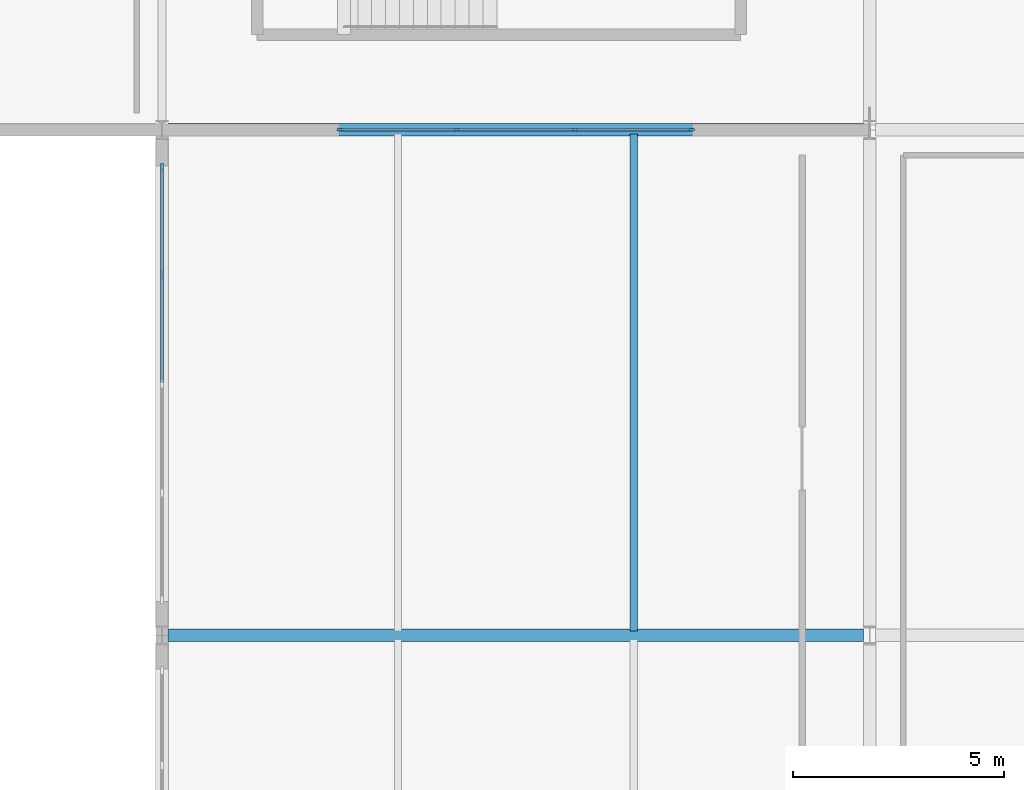
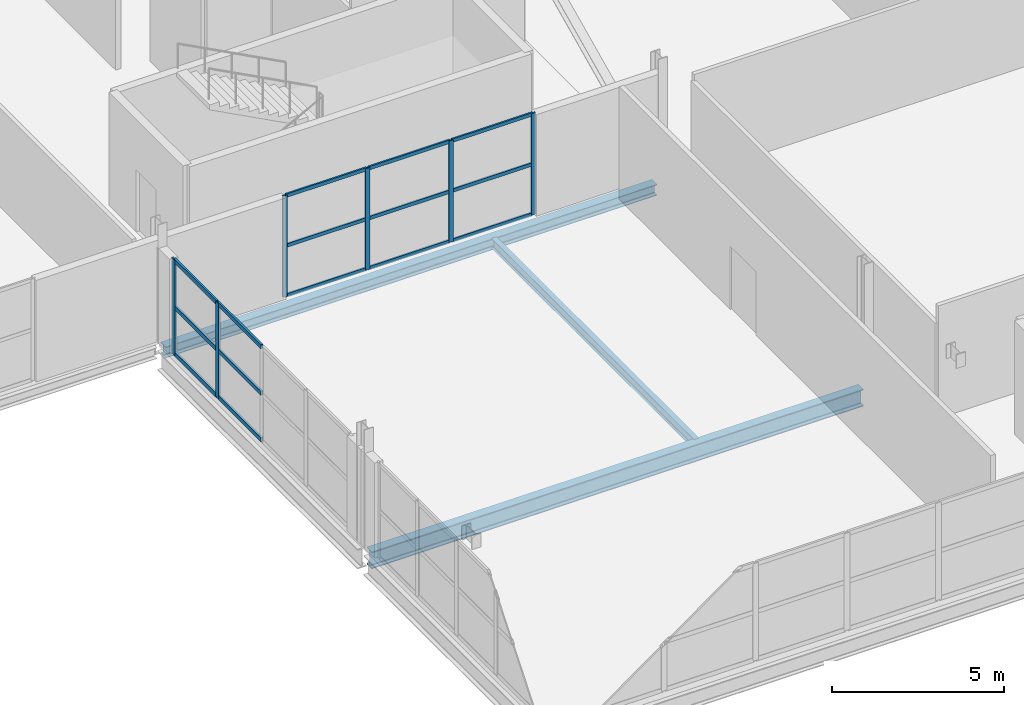
# One storey, part 11 of 39: 21 members, 3 beams, 2 elements without a shape of their own.
"""IFC4 building model written with IfcOpenShell, lengths in metres."""

from ifc_helpers import new_model, si_unit, direction, frame, origin, origin_2d, place, context, subcontext, project, spatial, rectangle, i_section, extrude, material, material_profile, profile_set, type_object, element, aggregate, save


model = new_model("IFC4")

# Units and contexts
model_context = context("Model", 3, precision=1e-05, world=origin(), true_north=direction((0.0, 1.0)))
body_context = subcontext(model_context, "Body", "Model", "MODEL_VIEW")
ifc_project = project(units=[si_unit("LENGTHUNIT", "METRE"), si_unit("AREAUNIT", "SQUARE_METRE"), si_unit("VOLUMEUNIT", "CUBIC_METRE"), si_unit("PLANEANGLEUNIT", "RADIAN"), si_unit("MASSUNIT", "GRAM", prefix="KILO")], contexts=[model_context])

# Site, building, storey
site_placement = place(None, origin())
site = spatial("IfcSite", under=ifc_project, at=site_placement, CompositionType="ELEMENT")
building_placement = place(site_placement, origin())
building = spatial("IfcBuilding", under=site, at=building_placement, Name="Kimbaza Rail Terminus", CompositionType="ELEMENT")
storey_placement = place(building_placement, frame((0.0, 0.0, 16.800048828125)))
storey = spatial("IfcBuildingStorey", under=building, at=storey_placement, Name="L03", CompositionType="ELEMENT", Elevation=16.800048828125)

# Curtain wall, members
ifc_material_1 = material(Name="Anodised aluminium framing and solar low-E glazing", Category="aluminium")
curtain_wall_type_1 = type_object("IfcCurtainWallType", Name="ARC-CW-BRG", PredefinedType="USERDEFINED", material=ifc_material_1)
curtain_wall_1_placement = place(storey_placement, origin())
curtain_wall_1 = element("IfcCurtainWall", 1, at=curtain_wall_1_placement, inside=storey, type_object=curtain_wall_type_1, Name="Over-Track Footbridge W Panoramic Curtain Wall 2", ObjectType="UNITISED CURTAIN WALL", PredefinedType="USERDEFINED")
ifc_material_2 = material(Name="Anodised architectural aluminium", Category="aluminium")
ifc_material_profile_1 = material_profile(ifc_material_2, rectangle(XDim=0.068115234375, YDim=0.18994140625, at=origin_2d()), Name="MULLION 68x190")
ifc_profile_set_1 = profile_set([ifc_material_profile_1], Name="Anodised architectural aluminium")
member_type_1 = type_object("IfcMemberType", Name="ARC-CWM-03", PredefinedType="MULLION", material=ifc_profile_set_1)
member_1_placement = place(storey_placement, frame((72.0, 99.554931640625, 0.0), z_axis=(0.0, 0.0, 1.0), x_axis=(-1.0, 0.0, 0.0)))
member_1 = element("IfcMember", 2, at=member_1_placement, type_object=member_type_1, Name="CW-03 mullion 4", PredefinedType="MULLION", context=body_context, shape_type="SweptSolid", body=[
    extrude(rectangle(XDim=0.068115234375, YDim=0.18994140625, at=origin_2d()), origin(), (0.0, 0.0, 1.0), 3.369873046875),
])
member_2_placement = place(storey_placement, frame((72.0, 102.10595703125, 0.0), z_axis=(0.0, 0.0, 1.0), x_axis=(-1.0, 0.0, 0.0)))
member_2 = element("IfcMember", 3, at=member_2_placement, type_object=member_type_1, Name="CW-03 mullion 5", PredefinedType="MULLION", context=body_context, shape_type="SweptSolid", body=[
    extrude(rectangle(XDim=0.068115234375, YDim=0.18994140625, at=origin_2d()), origin(), (0.0, 0.0, 1.0), 3.369873046875),
])

ifc_material_3 = material(Name="Anodised aluminium framing and solar low-E glazing", Category="aluminium")
curtain_wall_type_2 = type_object("IfcCurtainWallType", Name="ARC-CW-OP2", PredefinedType="USERDEFINED", material=ifc_material_3)
curtain_wall_2_placement = place(storey_placement, origin())
curtain_wall_2 = element("IfcCurtainWall", 4, at=curtain_wall_2_placement, inside=storey, type_object=curtain_wall_type_2, Name="Operations South Curtain Wall L03 Bay 2", ObjectType="STICK CURTAIN WALL", PredefinedType="USERDEFINED")
ifc_material_4 = material(Name="Anodised architectural aluminium", Category="aluminium")
ifc_material_profile_2 = material_profile(ifc_material_4, rectangle(XDim=0.05810546875, YDim=0.14990234375, at=origin_2d()), Name="MULLION 58x150")
ifc_profile_set_2 = profile_set([ifc_material_profile_2], Name="Anodised architectural aluminium")
member_type_2 = type_object("IfcMemberType", Name="ARC-CWM-06", PredefinedType="MULLION", material=ifc_profile_set_2)
member_3_placement = place(storey_placement, frame((76.22900390625, 103.0, 0.0), z_axis=(0.0, 0.0, 1.0), x_axis=(0.0, 1.0, 0.0)))
member_3 = element("IfcMember", 5, at=member_3_placement, type_object=member_type_2, Name="CW-06 mullion 1", PredefinedType="MULLION", context=body_context, shape_type="SweptSolid", body=[
    extrude(rectangle(XDim=0.05810546875, YDim=0.14990234375, at=origin_2d()), origin(), (0.0, 0.0, 1.0), 3.60498046875),
])
member_4_placement = place(storey_placement, frame((79.0, 103.0, 0.0), z_axis=(0.0, 0.0, 1.0), x_axis=(0.0, 1.0, 0.0)))
member_4 = element("IfcMember", 6, at=member_4_placement, type_object=member_type_2, Name="CW-06 mullion 2", PredefinedType="MULLION", context=body_context, shape_type="SweptSolid", body=[
    extrude(rectangle(XDim=0.05810546875, YDim=0.14990234375, at=origin_2d()), origin(), (0.0, 0.0, 1.0), 3.60498046875),
])
member_5_placement = place(storey_placement, frame((81.800048828125, 103.0, 0.0), z_axis=(0.0, 0.0, 1.0), x_axis=(0.0, 1.0, 0.0)))
member_5 = element("IfcMember", 7, at=member_5_placement, type_object=member_type_2, Name="CW-06 mullion 3", PredefinedType="MULLION", context=body_context, shape_type="SweptSolid", body=[
    extrude(rectangle(XDim=0.05810546875, YDim=0.14990234375, at=origin_2d()), origin(), (0.0, 0.0, 1.0), 3.60498046875),
])
member_6_placement = place(storey_placement, frame((84.571044921875, 103.0, 0.0), z_axis=(0.0, 0.0, 1.0), x_axis=(0.0, 1.0, 0.0)))
member_6 = element("IfcMember", 8, at=member_6_placement, type_object=member_type_2, Name="CW-06 mullion 4", PredefinedType="MULLION", context=body_context, shape_type="SweptSolid", body=[
    extrude(rectangle(XDim=0.05810546875, YDim=0.14990234375, at=origin_2d()), origin(), (0.0, 0.0, 1.0), 3.60498046875),
])

# Member
ifc_material_5 = material(Name="Anodised architectural aluminium", Category="aluminium")
ifc_material_profile_3 = material_profile(ifc_material_5, rectangle(XDim=0.068115234375, YDim=0.14990234375, at=origin_2d()), Name="TRANSOM 68x150")
ifc_profile_set_3 = profile_set([ifc_material_profile_3], Name="Anodised architectural aluminium")
member_type_3 = type_object("IfcMemberType", Name="ARC-CWT-03", PredefinedType="USERDEFINED", material=ifc_profile_set_3)
member_7_placement = place(storey_placement, frame((72.0, 97.00390625, 0.033935546875), z_axis=(0.0, 1.0, 0.0), x_axis=(-1.0, 0.0, 0.0)))
member_7 = element("IfcMember", 9, at=member_7_placement, type_object=member_type_3, Name="CW-03 transom 3.1", ObjectType="TRANSOM", PredefinedType="USERDEFINED", context=body_context, shape_type="SweptSolid", body=[
    extrude(rectangle(XDim=0.068115234375, YDim=0.14990234375, at=origin_2d()), origin(), (0.0, 0.0, 1.0), 2.51708984375),
])

member_8_placement = place(storey_placement, frame((72.0, 97.00390625, 1.68505859375), z_axis=(0.0, 1.0, 0.0), x_axis=(-1.0, 0.0, 0.0)))
member_8 = element("IfcMember", 10, at=member_8_placement, type_object=member_type_3, Name="CW-03 transom 3.2", ObjectType="TRANSOM", PredefinedType="USERDEFINED", context=body_context, shape_type="SweptSolid", body=[
    extrude(rectangle(XDim=0.068115234375, YDim=0.14990234375, at=origin_2d()), origin(), (0.0, 0.0, 1.0), 2.51708984375),
])

member_9_placement = place(storey_placement, frame((72.0, 97.00390625, 3.3359375), z_axis=(0.0, 1.0, 0.0), x_axis=(-1.0, 0.0, 0.0)))
member_9 = element("IfcMember", 11, at=member_9_placement, type_object=member_type_3, Name="CW-03 transom 3.3", ObjectType="TRANSOM", PredefinedType="USERDEFINED", context=body_context, shape_type="SweptSolid", body=[
    extrude(rectangle(XDim=0.068115234375, YDim=0.14990234375, at=origin_2d()), origin(), (0.0, 0.0, 1.0), 2.51708984375),
])

member_10_placement = place(storey_placement, frame((72.0, 99.589111328125, 0.033935546875), z_axis=(0.0, 1.0, 0.0), x_axis=(-1.0, 0.0, 0.0)))
member_10 = element("IfcMember", 12, at=member_10_placement, type_object=member_type_3, Name="CW-03 transom 4.1", ObjectType="TRANSOM", PredefinedType="USERDEFINED", context=body_context, shape_type="SweptSolid", body=[
    extrude(rectangle(XDim=0.068115234375, YDim=0.14990234375, at=origin_2d()), origin(), (0.0, 0.0, 1.0), 2.48291015625),
])

member_11_placement = place(storey_placement, frame((72.0, 99.589111328125, 1.68505859375), z_axis=(0.0, 1.0, 0.0), x_axis=(-1.0, 0.0, 0.0)))
member_11 = element("IfcMember", 13, at=member_11_placement, type_object=member_type_3, Name="CW-03 transom 4.2", ObjectType="TRANSOM", PredefinedType="USERDEFINED", context=body_context, shape_type="SweptSolid", body=[
    extrude(rectangle(XDim=0.068115234375, YDim=0.14990234375, at=origin_2d()), origin(), (0.0, 0.0, 1.0), 2.48291015625),
])

member_12_placement = place(storey_placement, frame((72.0, 99.589111328125, 3.3359375), z_axis=(0.0, 1.0, 0.0), x_axis=(-1.0, 0.0, 0.0)))
member_12 = element("IfcMember", 14, at=member_12_placement, type_object=member_type_3, Name="CW-03 transom 4.3", ObjectType="TRANSOM", PredefinedType="USERDEFINED", context=body_context, shape_type="SweptSolid", body=[
    extrude(rectangle(XDim=0.068115234375, YDim=0.14990234375, at=origin_2d()), origin(), (0.0, 0.0, 1.0), 2.48291015625),
])

aggregate(curtain_wall_1, [member_1, member_2, member_7, member_8, member_9, member_10, member_11, member_12])

ifc_material_6 = material(Name="Anodised architectural aluminium", Category="aluminium")
ifc_material_profile_4 = material_profile(ifc_material_6, rectangle(XDim=0.05810546875, YDim=0.125, at=origin_2d()), Name="TRANSOM 58x125")
ifc_profile_set_4 = profile_set([ifc_material_profile_4], Name="Anodised architectural aluminium")
member_type_4 = type_object("IfcMemberType", Name="ARC-CWT-06", PredefinedType="USERDEFINED", material=ifc_profile_set_4)
member_13_placement = place(storey_placement, frame((76.258056640625, 103.0, 0.029052734375), z_axis=(1.0, 0.0, 0.0), x_axis=(0.0, 1.0, 0.0)))
member_13 = element("IfcMember", 15, at=member_13_placement, type_object=member_type_4, Name="CW-06 transom 1.1", ObjectType="TRANSOM", PredefinedType="USERDEFINED", context=body_context, shape_type="SweptSolid", body=[
    extrude(rectangle(XDim=0.05810546875, YDim=0.125, at=origin_2d()), origin(), (0.0, 0.0, 1.0), 2.712890625),
])

member_14_placement = place(storey_placement, frame((76.258056640625, 103.0, 1.802490234375), z_axis=(1.0, 0.0, 0.0), x_axis=(0.0, 1.0, 0.0)))
member_14 = element("IfcMember", 16, at=member_14_placement, type_object=member_type_4, Name="CW-06 transom 1.2", ObjectType="TRANSOM", PredefinedType="USERDEFINED", context=body_context, shape_type="SweptSolid", body=[
    extrude(rectangle(XDim=0.05810546875, YDim=0.125, at=origin_2d()), origin(), (0.0, 0.0, 1.0), 2.712890625),
])

member_15_placement = place(storey_placement, frame((76.258056640625, 103.0, 3.575927734375), z_axis=(1.0, 0.0, 0.0), x_axis=(0.0, 1.0, 0.0)))
member_15 = element("IfcMember", 17, at=member_15_placement, type_object=member_type_4, Name="CW-06 transom 1.3", ObjectType="TRANSOM", PredefinedType="USERDEFINED", context=body_context, shape_type="SweptSolid", body=[
    extrude(rectangle(XDim=0.05810546875, YDim=0.125, at=origin_2d()), origin(), (0.0, 0.0, 1.0), 2.712890625),
])

member_16_placement = place(storey_placement, frame((79.029052734375, 103.0, 0.029052734375), z_axis=(1.0, 0.0, 0.0), x_axis=(0.0, 1.0, 0.0)))
member_16 = element("IfcMember", 18, at=member_16_placement, type_object=member_type_4, Name="CW-06 transom 2.1", ObjectType="TRANSOM", PredefinedType="USERDEFINED", context=body_context, shape_type="SweptSolid", body=[
    extrude(rectangle(XDim=0.05810546875, YDim=0.125, at=origin_2d()), origin(), (0.0, 0.0, 1.0), 2.741943359375),
])

member_17_placement = place(storey_placement, frame((79.029052734375, 103.0, 1.802490234375), z_axis=(1.0, 0.0, 0.0), x_axis=(0.0, 1.0, 0.0)))
member_17 = element("IfcMember", 19, at=member_17_placement, type_object=member_type_4, Name="CW-06 transom 2.2", ObjectType="TRANSOM", PredefinedType="USERDEFINED", context=body_context, shape_type="SweptSolid", body=[
    extrude(rectangle(XDim=0.05810546875, YDim=0.125, at=origin_2d()), origin(), (0.0, 0.0, 1.0), 2.741943359375),
])

member_18_placement = place(storey_placement, frame((79.029052734375, 103.0, 3.575927734375), z_axis=(1.0, 0.0, 0.0), x_axis=(0.0, 1.0, 0.0)))
member_18 = element("IfcMember", 20, at=member_18_placement, type_object=member_type_4, Name="CW-06 transom 2.3", ObjectType="TRANSOM", PredefinedType="USERDEFINED", context=body_context, shape_type="SweptSolid", body=[
    extrude(rectangle(XDim=0.05810546875, YDim=0.125, at=origin_2d()), origin(), (0.0, 0.0, 1.0), 2.741943359375),
])

member_19_placement = place(storey_placement, frame((81.8291015625, 103.0, 0.029052734375), z_axis=(1.0, 0.0, 0.0), x_axis=(0.0, 1.0, 0.0)))
member_19 = element("IfcMember", 21, at=member_19_placement, type_object=member_type_4, Name="CW-06 transom 3.1", ObjectType="TRANSOM", PredefinedType="USERDEFINED", context=body_context, shape_type="SweptSolid", body=[
    extrude(rectangle(XDim=0.05810546875, YDim=0.125, at=origin_2d()), origin(), (0.0, 0.0, 1.0), 2.712890625),
])

member_20_placement = place(storey_placement, frame((81.8291015625, 103.0, 1.802490234375), z_axis=(1.0, 0.0, 0.0), x_axis=(0.0, 1.0, 0.0)))
member_20 = element("IfcMember", 22, at=member_20_placement, type_object=member_type_4, Name="CW-06 transom 3.2", ObjectType="TRANSOM", PredefinedType="USERDEFINED", context=body_context, shape_type="SweptSolid", body=[
    extrude(rectangle(XDim=0.05810546875, YDim=0.125, at=origin_2d()), origin(), (0.0, 0.0, 1.0), 2.712890625),
])

member_21_placement = place(storey_placement, frame((81.8291015625, 103.0, 3.575927734375), z_axis=(1.0, 0.0, 0.0), x_axis=(0.0, 1.0, 0.0)))
member_21 = element("IfcMember", 23, at=member_21_placement, type_object=member_type_4, Name="CW-06 transom 3.3", ObjectType="TRANSOM", PredefinedType="USERDEFINED", context=body_context, shape_type="SweptSolid", body=[
    extrude(rectangle(XDim=0.05810546875, YDim=0.125, at=origin_2d()), origin(), (0.0, 0.0, 1.0), 2.712890625),
])

aggregate(curtain_wall_2, [member_3, member_4, member_5, member_6, member_13, member_14, member_15, member_16, member_17, member_18, member_19, member_20, member_21])

# Beams
ifc_material_7 = material(Name="Steel S355", Category="steel")
ifc_material_profile_5 = material_profile(ifc_material_7, i_section(OverallWidth=0.300048828125, OverallDepth=0.389892578125, WebThickness=0.010986328125, FlangeThickness=0.01904296875, FilletRadius=0.027099609375, at=origin_2d()), Name="HEA 400")
ifc_profile_set_5 = profile_set([ifc_material_profile_5], Name="Steel S355")
beam_type_1 = type_object("IfcBeamType", Name="STR-BM-HEA400", PredefinedType="SPANDREL", material=ifc_profile_set_5)
beam_1_placement = place(storey_placement, frame((72.14599609375, 103.0, -0.47509765625), z_axis=(1.0, 0.0, 0.0), x_axis=(0.0, 1.0, 0.0)))
element("IfcBeam", 24, at=beam_1_placement, inside=storey, type_object=beam_type_1, Name="Operations Girder L03 X1-Y0", PredefinedType="SPANDREL", context=body_context, shape_type="SweptSolid", body=[
    extrude(i_section(OverallWidth=0.300048828125, OverallDepth=0.389892578125, WebThickness=0.010986328125, FlangeThickness=0.01904296875, FilletRadius=0.027099609375, at=origin_2d()), origin(), (0.0, 0.0, 1.0), 16.508056640625),
])
ifc_material_8 = material(Name="Steel S355", Category="steel")
ifc_material_profile_6 = material_profile(ifc_material_8, i_section(OverallWidth=0.300048828125, OverallDepth=0.60009765625, WebThickness=0.015380859375, FlangeThickness=0.030029296875, FilletRadius=0.027099609375, at=origin_2d()), Name="HEB 600")
ifc_profile_set_6 = profile_set([ifc_material_profile_6], Name="Steel S355")
beam_type_2 = type_object("IfcBeamType", Name="STR-BM-HEB600", PredefinedType="BEAM", material=ifc_profile_set_6)
beam_2_placement = place(storey_placement, frame((72.14599609375, 91.0, -0.580078125), z_axis=(1.0, 0.0, 0.0), x_axis=(0.0, 1.0, 0.0)))
element("IfcBeam", 25, at=beam_2_placement, inside=storey, type_object=beam_type_2, Name="Beam BM-BRGX-91-0", PredefinedType="BEAM", context=body_context, shape_type="SweptSolid", body=[
    extrude(i_section(OverallWidth=0.300048828125, OverallDepth=0.60009765625, WebThickness=0.015380859375, FlangeThickness=0.030029296875, FilletRadius=0.027099609375, at=origin_2d()), origin(), (0.0, 0.0, 1.0), 16.508056640625),
])
ifc_material_9 = material(Name="Steel S355", Category="steel")
ifc_material_profile_7 = material_profile(ifc_material_9, i_section(OverallWidth=0.169921875, OverallDepth=0.360107421875, WebThickness=0.008056640625, FlangeThickness=0.0126953125, FilletRadius=0.01806640625, at=origin_2d()), Name="IPE 360")
ifc_profile_set_7 = profile_set([ifc_material_profile_7], Name="Steel S355")
beam_type_3 = type_object("IfcBeamType", Name="STR-BM-IPE360", PredefinedType="JOIST", material=ifc_profile_set_7)
beam_3_placement = place(storey_placement, frame((83.199951171875, 91.10009765625, -0.4599609375), z_axis=(0.0, 1.0, 0.0), x_axis=(-1.0, 0.0, 0.0)))
element("IfcBeam", 26, at=beam_3_placement, inside=storey, type_object=beam_type_3, Name="Beam JST-BRG-L03-0-2-91", PredefinedType="JOIST", context=body_context, shape_type="SweptSolid", body=[
    extrude(i_section(OverallWidth=0.169921875, OverallDepth=0.360107421875, WebThickness=0.008056640625, FlangeThickness=0.0126953125, FilletRadius=0.01806640625, at=origin_2d()), origin(), (0.0, 0.0, 1.0), 11.7998046875),
])

save(model, "model.ifc")
